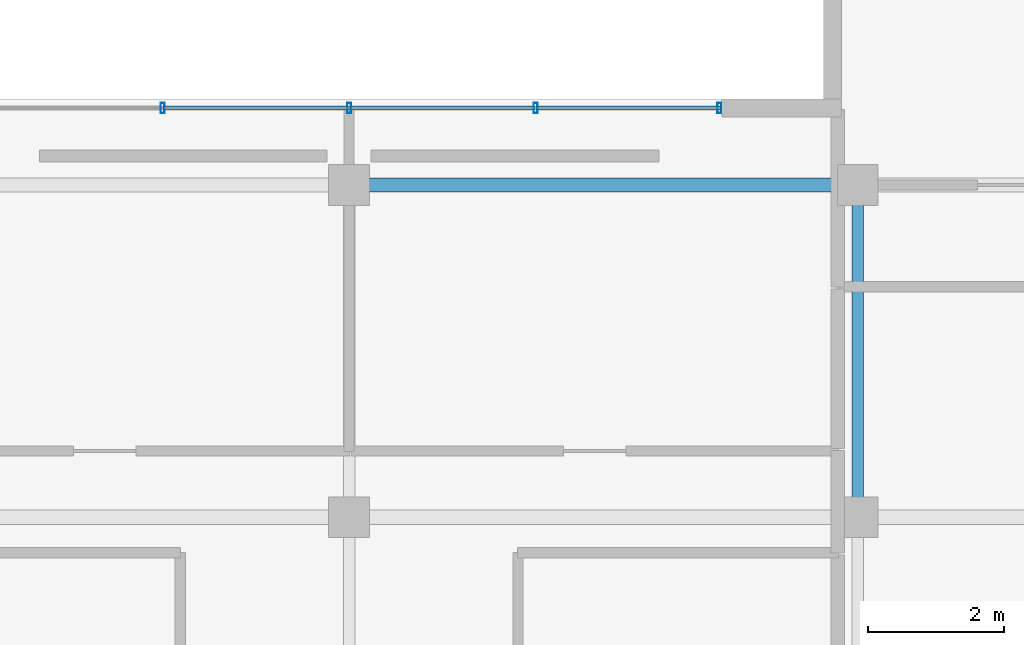
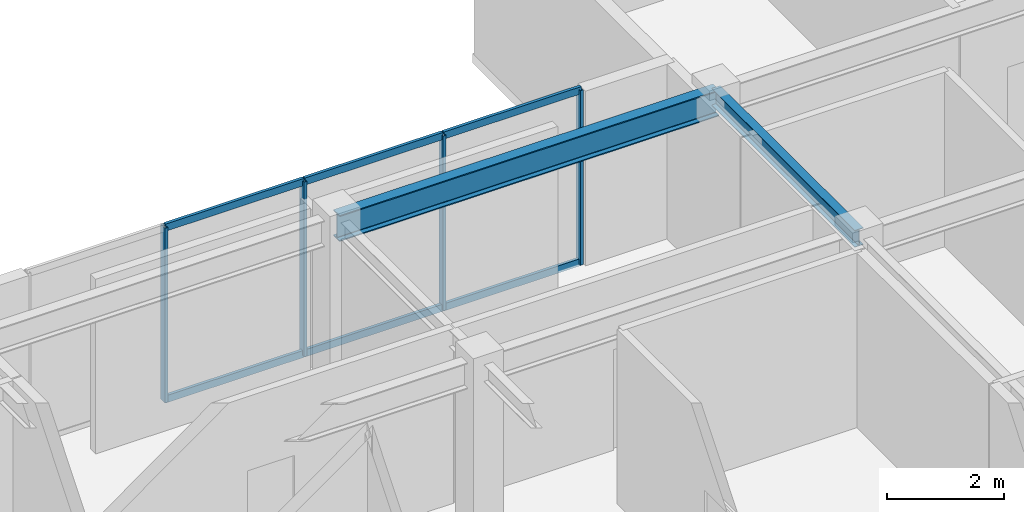
# One storey, part 4 of 11: 10 members, 2 beams, 1 element without a shape of its own.
"""IFC4 building model written with IfcOpenShell, lengths in metres."""

from ifc_helpers import new_model, si_unit, direction, frame, origin, origin_2d, place, context, subcontext, project, spatial, hollow_rectangle, i_section, extrude, material, material_profile, profile_set, type_object, element, aggregate, save


model = new_model("IFC4")

# Units and contexts
model_context = context("Model", 3, precision=1e-05, world=origin(), true_north=direction((0.0, 1.0)))
body_context = subcontext(model_context, "Body", "Model", "MODEL_VIEW")
ifc_project = project(units=[si_unit("LENGTHUNIT", "METRE"), si_unit("AREAUNIT", "SQUARE_METRE"), si_unit("VOLUMEUNIT", "CUBIC_METRE"), si_unit("PLANEANGLEUNIT", "RADIAN"), si_unit("MASSUNIT", "GRAM", prefix="KILO")], contexts=[model_context])

# Site, building, storey
site_placement = place(None, origin())
site = spatial("IfcSite", under=ifc_project, at=site_placement, CompositionType="ELEMENT")
building_placement = place(site_placement, origin())
building = spatial("IfcBuilding", under=site, at=building_placement, Name="Ventersveld Concourse Tower", CompositionType="ELEMENT")
storey_placement = place(building_placement, frame((0.0, 0.0, 256.75)))
storey = spatial("IfcBuildingStorey", under=building, at=storey_placement, Name="L63", CompositionType="ELEMENT", Elevation=256.75)

# Beam
ifc_material_1 = material(Name="Structural steel S355J2", Category="steel")
ifc_material_profile_1 = material_profile(ifc_material_1, i_section(OverallWidth=0.17138671875, OverallDepth=0.35498046875, WebThickness=0.00732421875, FlangeThickness=0.011474609375, FilletRadius=0.01025390625, at=origin_2d()), Name="UB 356x171x51")
ifc_profile_set_1 = profile_set([ifc_material_profile_1], Name="Structural steel S355J2")
beam_type_1 = type_object("IfcBeamType", Name="BM-UB356", PredefinedType="BEAM", material=ifc_profile_set_1)
beam_1_placement = place(storey_placement, frame((36.25, 23.60009765625, 3.472412109375), z_axis=(0.0, 1.0, 0.0), x_axis=(-1.0, 0.0, 0.0)))
element("IfcBeam", 1, at=beam_1_placement, inside=storey, type_object=beam_type_1, Name="L63 N-S Upper-Zone Floor Beam X=36.25", PredefinedType="BEAM", context=body_context, shape_type="SweptSolid", body=[
    extrude(i_section(OverallWidth=0.17138671875, OverallDepth=0.35498046875, WebThickness=0.00732421875, FlangeThickness=0.011474609375, FilletRadius=0.01025390625, at=origin_2d()), origin(), (0.0, 0.0, 1.0), 4.89990234375),
])

# Curtain wall, members
ifc_material_2 = material(Name="Anodised aluminium EN AW-6063-T6", Category="aluminium")
curtain_wall_type = type_object("IfcCurtainWallType", Name="CW-SG-4", PredefinedType="NOTDEFINED", material=ifc_material_2)
curtain_wall_placement = place(storey_placement, origin())
curtain_wall = element("IfcCurtainWall", 2, at=curtain_wall_placement, inside=storey, type_object=curtain_wall_type, Name="L63 L63 Sky Garden Recessed Curtain Wall", PredefinedType="NOTDEFINED")
ifc_material_profile_2 = material_profile(ifc_material_2, hollow_rectangle(XDim=0.06005859375, YDim=0.14990234375, WallThickness=0.00390625, at=origin_2d()), Name="ALU 150x60x4")
ifc_profile_set_2 = profile_set([ifc_material_profile_2], Name="Anodised aluminium EN AW-6063-T6")
member_type_1 = type_object("IfcMemberType", Name="CWM-150x65", PredefinedType="MULLION", material=ifc_profile_set_2)
member_1_placement = place(storey_placement, frame((26.0, 29.63623046875, 0.0), z_axis=(0.0, 0.0, 1.0), x_axis=(1.0, 0.0, 0.0)))
member_1 = element("IfcMember", 3, at=member_1_placement, type_object=member_type_1, Name="CW-L63-SG Mullion 02", PredefinedType="MULLION", context=body_context, shape_type="SweptSolid", body=[
    extrude(hollow_rectangle(XDim=0.06005859375, YDim=0.14990234375, WallThickness=0.00390625, at=origin_2d()), origin(), (0.0, 0.0, 1.0), 3.64990234375),
])
member_2_placement = place(storey_placement, frame((28.75, 29.63623046875, 0.0), z_axis=(0.0, 0.0, 1.0), x_axis=(1.0, 0.0, 0.0)))
member_2 = element("IfcMember", 4, at=member_2_placement, type_object=member_type_1, Name="CW-L63-SG Mullion 03", PredefinedType="MULLION", context=body_context, shape_type="SweptSolid", body=[
    extrude(hollow_rectangle(XDim=0.06005859375, YDim=0.14990234375, WallThickness=0.00390625, at=origin_2d()), origin(), (0.0, 0.0, 1.0), 3.64990234375),
])
member_3_placement = place(storey_placement, frame((31.5, 29.63623046875, 0.0), z_axis=(0.0, 0.0, 1.0), x_axis=(1.0, 0.0, 0.0)))
member_3 = element("IfcMember", 5, at=member_3_placement, type_object=member_type_1, Name="CW-L63-SG Mullion 04", PredefinedType="MULLION", context=body_context, shape_type="SweptSolid", body=[
    extrude(hollow_rectangle(XDim=0.06005859375, YDim=0.14990234375, WallThickness=0.00390625, at=origin_2d()), origin(), (0.0, 0.0, 1.0), 3.64990234375),
])
member_4_placement = place(storey_placement, frame((34.2099609375, 29.63623046875, 0.0), z_axis=(0.0, 0.0, 1.0), x_axis=(1.0, 0.0, 0.0)))
member_4 = element("IfcMember", 6, at=member_4_placement, type_object=member_type_1, Name="CW-L63-SG Mullion 05", PredefinedType="MULLION", context=body_context, shape_type="SweptSolid", body=[
    extrude(hollow_rectangle(XDim=0.06005859375, YDim=0.14990234375, WallThickness=0.00390625, at=origin_2d()), origin(), (0.0, 0.0, 1.0), 3.64990234375),
])
ifc_material_profile_3 = material_profile(ifc_material_2, hollow_rectangle(XDim=0.06005859375, YDim=0.14990234375, WallThickness=0.00390625, at=origin_2d()), Name="ALU 150x60x4")
ifc_profile_set_3 = profile_set([ifc_material_profile_3], Name="Anodised aluminium EN AW-6063-T6")
member_type_2 = type_object("IfcMemberType", Name="CWT-150x60", PredefinedType="USERDEFINED", material=ifc_profile_set_3)
member_5_placement = place(storey_placement, frame((26.010009765625, 29.63623046875, 0.030029296875), z_axis=(1.0, 0.0, 0.0), x_axis=(0.0, 1.0, 0.0)))
member_5 = element("IfcMember", 7, at=member_5_placement, type_object=member_type_2, Name="CW-L63-SG Transom 1-02", ObjectType="TRANSOM", PredefinedType="USERDEFINED", context=body_context, shape_type="SweptSolid", body=[
    extrude(hollow_rectangle(XDim=0.06005859375, YDim=0.14990234375, WallThickness=0.00390625, at=origin_2d()), origin(), (0.0, 0.0, 1.0), 2.72998046875),
])
member_6_placement = place(storey_placement, frame((28.760009765625, 29.63623046875, 0.030029296875), z_axis=(1.0, 0.0, 0.0), x_axis=(0.0, 1.0, 0.0)))
member_6 = element("IfcMember", 8, at=member_6_placement, type_object=member_type_2, Name="CW-L63-SG Transom 1-03", ObjectType="TRANSOM", PredefinedType="USERDEFINED", context=body_context, shape_type="SweptSolid", body=[
    extrude(hollow_rectangle(XDim=0.06005859375, YDim=0.14990234375, WallThickness=0.00390625, at=origin_2d()), origin(), (0.0, 0.0, 1.0), 2.72998046875),
])
member_7_placement = place(storey_placement, frame((31.510009765625, 29.63623046875, 0.030029296875), z_axis=(1.0, 0.0, 0.0), x_axis=(0.0, 1.0, 0.0)))
member_7 = element("IfcMember", 9, at=member_7_placement, type_object=member_type_2, Name="CW-L63-SG Transom 1-04", ObjectType="TRANSOM", PredefinedType="USERDEFINED", context=body_context, shape_type="SweptSolid", body=[
    extrude(hollow_rectangle(XDim=0.06005859375, YDim=0.14990234375, WallThickness=0.00390625, at=origin_2d()), origin(), (0.0, 0.0, 1.0), 2.719970703125),
])
member_8_placement = place(storey_placement, frame((26.010009765625, 29.63623046875, 3.6201171875), z_axis=(1.0, 0.0, 0.0), x_axis=(0.0, 1.0, 0.0)))
member_8 = element("IfcMember", 10, at=member_8_placement, type_object=member_type_2, Name="CW-L63-SG Transom 2-02", ObjectType="TRANSOM", PredefinedType="USERDEFINED", context=body_context, shape_type="SweptSolid", body=[
    extrude(hollow_rectangle(XDim=0.06005859375, YDim=0.14990234375, WallThickness=0.00390625, at=origin_2d()), origin(), (0.0, 0.0, 1.0), 2.72998046875),
])
member_9_placement = place(storey_placement, frame((28.760009765625, 29.63623046875, 3.6201171875), z_axis=(1.0, 0.0, 0.0), x_axis=(0.0, 1.0, 0.0)))
member_9 = element("IfcMember", 11, at=member_9_placement, type_object=member_type_2, Name="CW-L63-SG Transom 2-03", ObjectType="TRANSOM", PredefinedType="USERDEFINED", context=body_context, shape_type="SweptSolid", body=[
    extrude(hollow_rectangle(XDim=0.06005859375, YDim=0.14990234375, WallThickness=0.00390625, at=origin_2d()), origin(), (0.0, 0.0, 1.0), 2.72998046875),
])
member_10_placement = place(storey_placement, frame((31.510009765625, 29.63623046875, 3.6201171875), z_axis=(1.0, 0.0, 0.0), x_axis=(0.0, 1.0, 0.0)))
member_10 = element("IfcMember", 12, at=member_10_placement, type_object=member_type_2, Name="CW-L63-SG Transom 2-04", ObjectType="TRANSOM", PredefinedType="USERDEFINED", context=body_context, shape_type="SweptSolid", body=[
    extrude(hollow_rectangle(XDim=0.06005859375, YDim=0.14990234375, WallThickness=0.00390625, at=origin_2d()), origin(), (0.0, 0.0, 1.0), 2.719970703125),
])
aggregate(curtain_wall, [member_1, member_2, member_3, member_4, member_5, member_6, member_7, member_8, member_9, member_10])

# Beam
ifc_material_profile_4 = material_profile(ifc_material_1, i_section(OverallWidth=0.2119140625, OverallDepth=0.54443359375, WebThickness=0.0126953125, FlangeThickness=0.021240234375, FilletRadius=0.0126953125, at=origin_2d()), Name="UB 533x210x122")
ifc_profile_set_4 = profile_set([ifc_material_profile_4], Name="Structural steel S355J2")
beam_type_2 = type_object("IfcBeamType", Name="GRD-UB533H", PredefinedType="T_BEAM", material=ifc_profile_set_4)
beam_2_placement = place(storey_placement, frame((28.75, 28.5, 3.377685546875), z_axis=(1.0, 0.0, 0.0), x_axis=(0.0, 1.0, 0.0)))
element("IfcBeam", 13, at=beam_2_placement, inside=storey, type_object=beam_type_2, Name="L63 Upper-North E-W Girder Y=28.50 #3", PredefinedType="T_BEAM", context=body_context, shape_type="SweptSolid", body=[
    extrude(i_section(OverallWidth=0.2119140625, OverallDepth=0.54443359375, WebThickness=0.0126953125, FlangeThickness=0.021240234375, FilletRadius=0.0126953125, at=origin_2d()), origin(), (0.0, 0.0, 1.0), 7.5),
])

save(model, "model.ifc")
